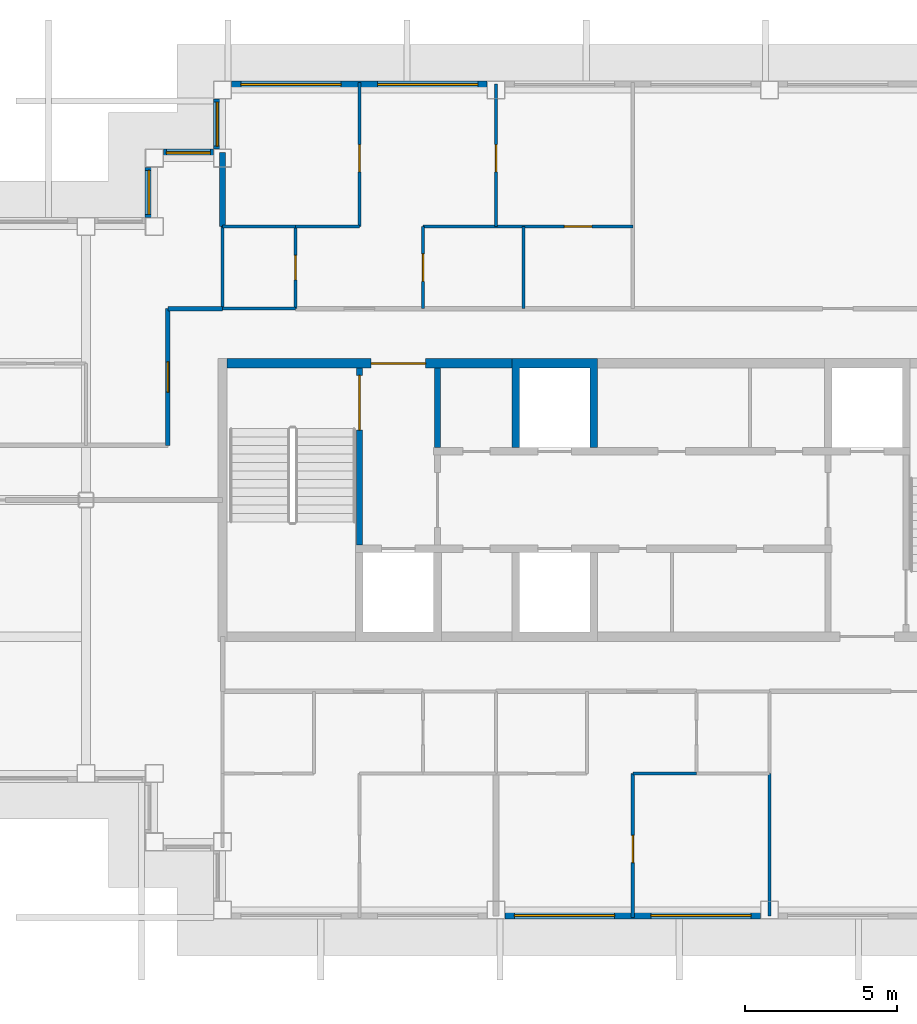
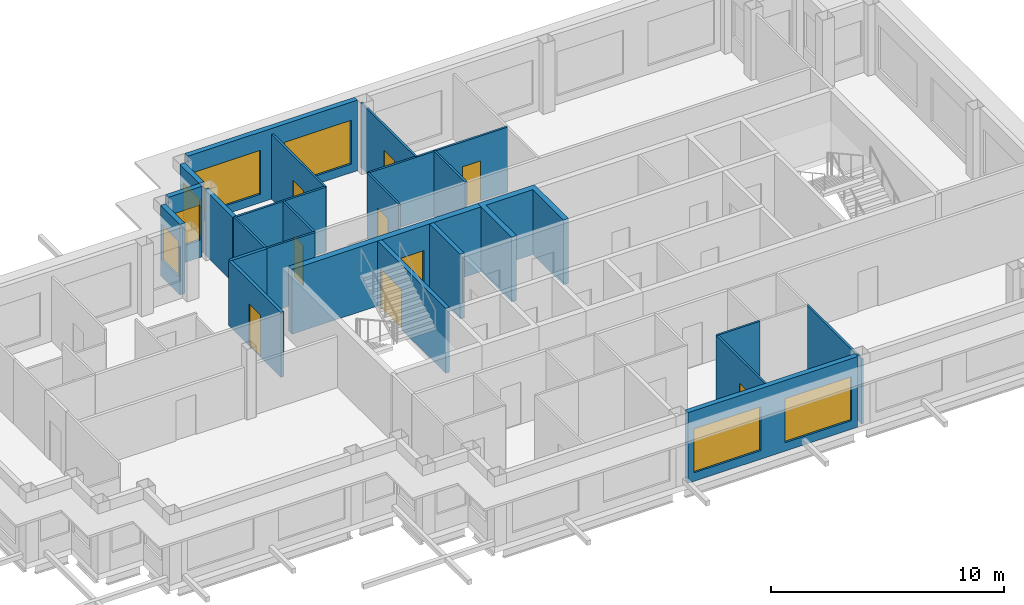
# One storey, part 4 of 11: 25 walls, 9 doors, 7 windows, 16 openings.
"""IFC4 building model written with IfcOpenShell, lengths in metres."""

from ifc_helpers import new_model, si_unit, direction, frame, frame_2d, origin, place, context, subcontext, project, spatial, polyline, rectangle, outline, extrude, material, layer, layer_set, type_object, element, fill, save


model = new_model("IFC4")

# Units and contexts
model_context = context("Model", 3, precision=1e-05, world=origin(), true_north=direction((0.0, 1.0)))
body_context = subcontext(model_context, "Body", "Model", "MODEL_VIEW")
ifc_project = project(units=[si_unit("LENGTHUNIT", "METRE"), si_unit("AREAUNIT", "SQUARE_METRE"), si_unit("VOLUMEUNIT", "CUBIC_METRE"), si_unit("PLANEANGLEUNIT", "RADIAN"), si_unit("MASSUNIT", "GRAM", prefix="KILO")], contexts=[model_context])

# Site, building, storey
site_placement = place(None, origin())
site = spatial("IfcSite", under=ifc_project, at=site_placement, CompositionType="ELEMENT")
building_placement = place(site_placement, origin())
building = spatial("IfcBuilding", under=site, at=building_placement, Name="Caravel Reach Hotel and Residences", CompositionType="ELEMENT")
storey_placement = place(building_placement, frame((0.0, 0.0, 249.0)))
storey = spatial("IfcBuildingStorey", under=building, at=storey_placement, Name="L63", CompositionType="ELEMENT", Elevation=249.0)

# Walls
ifc_material_1 = material(Name="Gypsum board on steel stud", Category="steel")
ifc_layer_1 = layer(ifc_material_1, 0.10009765625)
ifc_layer_set_1 = layer_set([ifc_layer_1], Name="Bathroom pod wall 100 mm")
wall_type_1 = type_object("IfcWallType", Name="Bathroom pod wall 100 mm", PredefinedType="PARTITIONING", material=ifc_layer_set_1)
for number, where, z_axis, x_axis, name in (
    (1, (18.0, 33.300048828125, 0.0), (0.0, 0.0, 1.0), (1.0, 0.0, 0.0), "L63 wall w059"),
    (2, (18.0, 36.0, 0.0), (0.0, 0.0, 1.0), (1.0, 0.0, 0.0), "L63 wall w060"),
):
    element("IfcWall", number, at=place(storey_placement, frame(where, z_axis=z_axis, x_axis=x_axis)), inside=storey, type_object=wall_type_1, Name=name, PredefinedType="PARTITIONING", context=body_context, shape_type="SweptSolid", body=[
        extrude(rectangle(XDim=2.39990234375, YDim=0.10009765625, at=frame_2d((1.199951171875, 0.0))), origin(), (0.0, 0.0, 1.0), 3.39990234375),
    ])
wall_1_placement = place(storey_placement, frame((18.0, 33.301025390625, 0.0), z_axis=(0.0, 0.0, 1.0), x_axis=(0.0, 1.0, 0.0)))
element("IfcWall", 3, at=wall_1_placement, inside=storey, type_object=wall_type_1, Name="L63 wall w061", PredefinedType="PARTITIONING", context=body_context, shape_type="SweptSolid", body=[
    extrude(rectangle(XDim=2.698974609375, YDim=0.10009765625, at=frame_2d((1.349609375, 0.0))), origin(), (0.0, 0.0, 1.0), 3.39990234375),
])

# Wall, opening, door
wall_2_placement = place(storey_placement, frame((20.39990234375, 33.300048828125, 0.0), z_axis=(0.0, 0.0, 1.0), x_axis=(0.0, 1.0, 0.0)))
wall_2 = element("IfcWall", 4, at=wall_2_placement, inside=storey, type_object=wall_type_1, Name="L63 wall w062", PredefinedType="PARTITIONING", context=body_context, shape_type="SweptSolid", body=[
    extrude(rectangle(XDim=2.699951171875, YDim=0.10009765625, at=frame_2d((1.35009765625, 0.0))), origin(), (0.0, 0.0, 1.0), 3.39990234375),
])
opening_1_placement = place(wall_2_placement, frame((0.949951171875, 0.0, 0.0)))
opening_1 = element("IfcOpeningElement", 5, at=opening_1_placement, cuts=wall_2, Name="Opening D63-018", PredefinedType="OPENING", context=body_context, shape_type="SweptSolid", body=[
    extrude(rectangle(XDim=0.800048828125, YDim=2.10009765625, at=frame_2d((0.39990234375, 1.050048828125))), frame((0.0, 0.06005859375, 0.0), z_axis=(0.0, -1.0, 0.0), x_axis=(1.0, 0.0, 0.0)), (0.0, 0.0, 1.0), 0.1201171875),
])
ifc_material_2 = material(Name="Timber and steel door leaf", Category="steel")
door_type_1 = type_object("IfcDoorType", Name="Bathroom door 800 x 2100", OperationType="SINGLE_SWING_LEFT", PredefinedType="DOOR", material=ifc_material_2)
door_1_placement = place(opening_1_placement, origin())
door_1 = element("IfcDoor", 6, at=door_1_placement, inside=storey, type_object=door_type_1, Name="door D63-018", OperationType="SINGLE_SWING_LEFT", OverallHeight=2.10009765625, OverallWidth=0.800048828125, PredefinedType="DOOR", context=body_context, shape_type="SweptSolid", body=[
    extrude(rectangle(XDim=0.800048828125, YDim=2.10009765625, at=frame_2d((0.39990234375, 1.050048828125))), frame((0.0, 0.02490234375, 0.0), z_axis=(0.0, -1.0, 0.0), x_axis=(1.0, 0.0, 0.0)), (0.0, 0.0, 1.0), 0.050048828125),
])
fill(opening_1, door_1)

# Wall
ifc_material_3 = material(Name="Autoclaved aerated block wall")
ifc_layer_2 = layer(ifc_material_3, 0.199951171875)
ifc_layer_set_2 = layer_set([ifc_layer_2], Name="Compartment wall 200 mm EI 120")
wall_type_2 = type_object("IfcWallType", Name="Compartment wall 200 mm EI 120", PredefinedType="PARTITIONING", material=ifc_layer_set_2)
wall_3_placement = place(storey_placement, frame((25.071533203125, 28.72509765625, 0.0), z_axis=(0.0, 0.0, 1.0), x_axis=(0.0, 1.0, 0.0)))
element("IfcWall", 7, at=wall_3_placement, inside=storey, type_object=wall_type_2, Name="L63 store partition", PredefinedType="PARTITIONING", context=body_context, shape_type="SweptSolid", body=[
    extrude(rectangle(XDim=2.625, YDim=0.199951171875, at=frame_2d((1.3125, 0.0))), origin(), (0.0, 0.0, 1.0), 3.39990234375),
])

# Wall, opening, door
ifc_material_4 = material(Name="Concrete C60", Category="concrete")
ifc_layer_3 = layer(ifc_material_4, 0.300048828125)
ifc_layer_set_3 = layer_set([ifc_layer_3], Name="Core wall 300 mm EI 120")
wall_type_3 = type_object("IfcWallType", Name="Core wall 300 mm EI 120", PredefinedType="SHEAR", material=ifc_layer_set_3)
wall_4_placement = place(storey_placement, frame((18.14990234375, 31.5, 0.0), z_axis=(0.0, 0.0, 1.0), x_axis=(1.0, 0.0, 0.0)))
wall_4 = element("IfcWall", 8, at=wall_4_placement, inside=storey, type_object=wall_type_3, Name="L63 core wall N1", PredefinedType="SHEAR", context=body_context, shape_type="SweptSolid", body=[
    extrude(rectangle(XDim=9.367919921875, YDim=0.300048828125, at=frame_2d((4.68408203125, 0.0))), origin(), (0.0, 0.0, 1.0), 3.39990234375),
])
opening_2_placement = place(wall_4_placement, frame((4.735595703125, 0.0, 0.0)))
opening_2 = element("IfcOpeningElement", 9, at=opening_2_placement, cuts=wall_4, Name="Opening D63-015", PredefinedType="OPENING", context=body_context, shape_type="SweptSolid", body=[
    extrude(rectangle(XDim=1.800048828125, YDim=2.10009765625, at=frame_2d((0.89990234375, 1.050048828125))), frame((0.0, 0.159912109375, 0.0), z_axis=(0.0, -1.0, 0.0), x_axis=(1.0, 0.0, 0.0)), (0.0, 0.0, 1.0), 0.320068359375),
])
ifc_material_5 = material(Name="Steel fire door leaf", Category="steel")
door_type_2 = type_object("IfcDoorType", Name="Fire lobby door pair 1800 x 2100 EI 90", OperationType="DOUBLE_DOOR_SINGLE_SWING", PredefinedType="DOOR", material=ifc_material_5)
door_2_placement = place(opening_2_placement, origin())
door_2 = element("IfcDoor", 10, at=door_2_placement, inside=storey, type_object=door_type_2, Name="lobby N door pair to corridor", OperationType="DOUBLE_DOOR_SINGLE_SWING", OverallHeight=2.10009765625, OverallWidth=1.800048828125, PredefinedType="DOOR", context=body_context, shape_type="SweptSolid", body=[
    extrude(rectangle(XDim=1.800048828125, YDim=2.10009765625, at=frame_2d((0.89990234375, 1.050048828125))), frame((0.0, 0.02490234375, 0.0), z_axis=(0.0, -1.0, 0.0), x_axis=(1.0, 0.0, 0.0)), (0.0, 0.0, 1.0), 0.050048828125),
])
fill(opening_2, door_2)

# Wall
ifc_material_6 = material(Name="Gypsum board on steel stud, fire-rated", Category="steel")
ifc_layer_4 = layer(ifc_material_6, 0.14990234375)
ifc_layer_set_4 = layer_set([ifc_layer_4], Name="Corridor wall 150 mm EI 60")
wall_type_4 = type_object("IfcWallType", Name="Corridor wall 150 mm EI 60", PredefinedType="PARTITIONING", material=ifc_layer_set_4)
wall_5_placement = place(storey_placement, frame((16.199951171875, 33.300048828125, 0.0), z_axis=(0.0, 0.0, 1.0), x_axis=(1.0, 0.0, 0.0)))
element("IfcWall", 11, at=wall_5_placement, inside=storey, type_object=wall_type_4, Name="L63 wall w016", PredefinedType="PARTITIONING", context=body_context, shape_type="SweptSolid", body=[
    extrude(rectangle(XDim=1.799072265625, YDim=0.14990234375, at=frame_2d((0.8994140625, 0.0))), origin(), (0.0, 0.0, 1.0), 3.39990234375),
])

# Wall, opening, door
wall_6_placement = place(storey_placement, frame((16.199951171875, 28.801025390625, 0.0), z_axis=(0.0, 0.0, 1.0), x_axis=(0.0, 1.0, 0.0)))
wall_6 = element("IfcWall", 12, at=wall_6_placement, inside=storey, type_object=wall_type_4, Name="L63 wall w017", PredefinedType="PARTITIONING", context=body_context, shape_type="SweptSolid", body=[
    extrude(rectangle(XDim=4.4990234375, YDim=0.14990234375, at=frame_2d((2.24951171875, 0.0))), origin(), (0.0, 0.0, 1.0), 3.39990234375),
])
opening_3_placement = place(wall_6_placement, frame((1.74951171875, 0.0, 0.0)))
opening_3 = element("IfcOpeningElement", 13, at=opening_3_placement, cuts=wall_6, Name="Opening D63-024", PredefinedType="OPENING", context=body_context, shape_type="SweptSolid", body=[
    extrude(rectangle(XDim=1.0, YDim=2.199951171875, at=frame_2d((0.5, 1.10009765625))), frame((0.0, 0.0849609375, 0.0), z_axis=(0.0, -1.0, 0.0), x_axis=(1.0, 0.0, 0.0)), (0.0, 0.0, 1.0), 0.169921875),
])
ifc_material_7 = material(Name="Steel fire door leaf", Category="steel")
door_type_3 = type_object("IfcDoorType", Name="Flat entrance door 1000 x 2200 EI 60", OperationType="SINGLE_SWING_LEFT", PredefinedType="DOOR", material=ifc_material_7)
door_3_placement = place(opening_3_placement, origin())
door_3 = element("IfcDoor", 14, at=door_3_placement, inside=storey, type_object=door_type_3, Name="door D63-024", OperationType="SINGLE_SWING_RIGHT", OverallHeight=2.199951171875, OverallWidth=1.0, PredefinedType="DOOR", context=body_context, shape_type="SweptSolid", body=[
    extrude(rectangle(XDim=1.0, YDim=2.199951171875, at=frame_2d((0.5, 1.10009765625))), frame((0.0, 0.02490234375, 0.0), z_axis=(0.0, -1.0, 0.0), x_axis=(1.0, 0.0, 0.0)), (0.0, 0.0, 1.0), 0.050048828125),
])
fill(opening_3, door_3)

# Wall, openings, windows
ifc_material_8 = material(Name="Insulated rainscreen wall, aluminium cladding", Category="aluminium")
ifc_layer_5 = layer(ifc_material_8, 0.25)
ifc_layer_set_5 = layer_set([ifc_layer_5], Name="EW1 Tower rainscreen wall")
wall_type_5 = type_object("IfcWallType", Name="EW1 Tower rainscreen wall", PredefinedType="SOLIDWALL", material=ifc_layer_set_5)
wall_7_placement = place(storey_placement, frame((27.300048828125, 13.324951171875, 0.0), z_axis=(0.0, 0.0, 1.0), x_axis=(1.0, 0.0, 0.0)))
wall_7 = element("IfcWall", 15, at=wall_7_placement, inside=storey, type_object=wall_type_5, Name="External wall L63 S4.2", PredefinedType="SOLIDWALL", context=body_context, shape_type="SweptSolid", body=[
    extrude(rectangle(XDim=8.39990234375, YDim=0.25, at=frame_2d((4.199951171875, 0.0))), origin(), (0.0, 0.0, 1.0), 3.699951171875),
])
opening_4_placement = place(wall_7_placement, frame((0.300048828125, 0.0, 0.449951171875)))
opening_4 = element("IfcOpeningElement", 16, at=opening_4_placement, cuts=wall_7, Name="Opening WN15", PredefinedType="OPENING", context=body_context, shape_type="SweptSolid", body=[
    extrude(rectangle(XDim=3.300048828125, YDim=2.300048828125, at=frame_2d((1.64990234375, 1.14990234375))), frame((0.0, 0.135009765625, 0.0), z_axis=(0.0, -1.0, 0.0), x_axis=(1.0, 0.0, 0.0)), (0.0, 0.0, 1.0), 0.27001953125),
])
opening_5_placement = place(wall_7_placement, frame((4.800048828125, 0.0, 0.449951171875)))
opening_5 = element("IfcOpeningElement", 17, at=opening_5_placement, cuts=wall_7, Name="Opening WN15", PredefinedType="OPENING", context=body_context, shape_type="SweptSolid", body=[
    extrude(rectangle(XDim=3.300048828125, YDim=2.300048828125, at=frame_2d((1.64990234375, 1.14990234375))), frame((0.0, 0.135009765625, 0.0), z_axis=(0.0, -1.0, 0.0), x_axis=(1.0, 0.0, 0.0)), (0.0, 0.0, 1.0), 0.27001953125),
])
ifc_material_9 = material(Name="Dark low-e glazing in black aluminium frame", Category="aluminium")
window_type_1 = type_object("IfcWindowType", Name="Residence living window 3300 x 2300", PartitioningType="SINGLE_PANEL", PredefinedType="WINDOW", material=ifc_material_9)
window_1_placement = place(opening_4_placement, origin())
window_1 = element("IfcWindow", 18, at=window_1_placement, inside=storey, type_object=window_type_1, Name="Window L63 S4.2.1", OverallHeight=2.300048828125, OverallWidth=3.300048828125, PartitioningType="SINGLE_PANEL", PredefinedType="WINDOW", context=body_context, shape_type="SweptSolid", body=[
    extrude(rectangle(XDim=3.300048828125, YDim=2.300048828125, at=frame_2d((1.64990234375, 1.14990234375))), frame((0.0, 0.030029296875, 0.0), z_axis=(0.0, -1.0, 0.0), x_axis=(1.0, 0.0, 0.0)), (0.0, 0.0, 1.0), 0.06005859375),
])
fill(opening_4, window_1)
window_2_placement = place(opening_5_placement, origin())
window_2 = element("IfcWindow", 19, at=window_2_placement, inside=storey, type_object=window_type_1, Name="Window L63 S4.2.2", OverallHeight=2.300048828125, OverallWidth=3.300048828125, PartitioningType="SINGLE_PANEL", PredefinedType="WINDOW", context=body_context, shape_type="SweptSolid", body=[
    extrude(rectangle(XDim=3.300048828125, YDim=2.300048828125, at=frame_2d((1.64990234375, 1.14990234375))), frame((0.0, 0.030029296875, 0.0), z_axis=(0.0, -1.0, 0.0), x_axis=(1.0, 0.0, 0.0)), (0.0, 0.0, 1.0), 0.06005859375),
])
fill(opening_5, window_2)

wall_8_placement = place(storey_placement, frame((26.699951171875, 40.675048828125, 0.0), z_axis=(0.0, 0.0, 1.0), x_axis=(-1.0, 0.0, 0.0)))
wall_8 = element("IfcWall", 20, at=wall_8_placement, inside=storey, type_object=wall_type_5, Name="External wall L63 N14.3", PredefinedType="SOLIDWALL", context=body_context, shape_type="SweptSolid", body=[
    extrude(rectangle(XDim=8.39990234375, YDim=0.25, at=frame_2d((4.199951171875, 0.0))), origin(), (0.0, 0.0, 1.0), 3.699951171875),
])
opening_6_placement = place(wall_8_placement, frame((0.300048828125, 0.0, 0.449951171875)))
opening_6 = element("IfcOpeningElement", 21, at=opening_6_placement, cuts=wall_8, Name="Opening WN15", PredefinedType="OPENING", context=body_context, shape_type="SweptSolid", body=[
    extrude(rectangle(XDim=3.300048828125, YDim=2.300048828125, at=frame_2d((1.64990234375, 1.14990234375))), frame((0.0, 0.135009765625, 0.0), z_axis=(0.0, -1.0, 0.0), x_axis=(1.0, 0.0, 0.0)), (0.0, 0.0, 1.0), 0.27001953125),
])
opening_7_placement = place(wall_8_placement, frame((4.800048828125, 0.0, 0.449951171875)))
opening_7 = element("IfcOpeningElement", 22, at=opening_7_placement, cuts=wall_8, Name="Opening WN15", PredefinedType="OPENING", context=body_context, shape_type="SweptSolid", body=[
    extrude(rectangle(XDim=3.300048828125, YDim=2.300048828125, at=frame_2d((1.64990234375, 1.14990234375))), frame((0.0, 0.135009765625, 0.0), z_axis=(0.0, -1.0, 0.0), x_axis=(1.0, 0.0, 0.0)), (0.0, 0.0, 1.0), 0.27001953125),
])
window_3_placement = place(opening_6_placement, origin())
window_3 = element("IfcWindow", 23, at=window_3_placement, inside=storey, type_object=window_type_1, Name="Window L63 N14.3.1", OverallHeight=2.300048828125, OverallWidth=3.300048828125, PartitioningType="SINGLE_PANEL", PredefinedType="WINDOW", context=body_context, shape_type="SweptSolid", body=[
    extrude(rectangle(XDim=3.300048828125, YDim=2.300048828125, at=frame_2d((1.64990234375, 1.14990234375))), frame((0.0, 0.030029296875, 0.0), z_axis=(0.0, -1.0, 0.0), x_axis=(1.0, 0.0, 0.0)), (0.0, 0.0, 1.0), 0.06005859375),
])
fill(opening_6, window_3)
window_4_placement = place(opening_7_placement, origin())
window_4 = element("IfcWindow", 24, at=window_4_placement, inside=storey, type_object=window_type_1, Name="Window L63 N14.3.2", OverallHeight=2.300048828125, OverallWidth=3.300048828125, PartitioningType="SINGLE_PANEL", PredefinedType="WINDOW", context=body_context, shape_type="SweptSolid", body=[
    extrude(rectangle(XDim=3.300048828125, YDim=2.300048828125, at=frame_2d((1.64990234375, 1.14990234375))), frame((0.0, 0.030029296875, 0.0), z_axis=(0.0, -1.0, 0.0), x_axis=(1.0, 0.0, 0.0)), (0.0, 0.0, 1.0), 0.06005859375),
])
fill(opening_7, window_4)

# Wall, opening, window
wall_9_placement = place(storey_placement, frame((17.824951171875, 40.199951171875, 0.0), z_axis=(0.0, 0.0, 1.0), x_axis=(0.0, -1.0, 0.0)))
wall_9 = element("IfcWall", 25, at=wall_9_placement, inside=storey, type_object=wall_type_5, Name="External wall L63 W15.1", PredefinedType="SOLIDWALL", context=body_context, shape_type="SweptSolid", body=[
    extrude(rectangle(XDim=1.64990234375, YDim=0.25, at=frame_2d((0.824951171875, 0.0))), origin(), (0.0, 0.0, 1.0), 3.699951171875),
])
opening_8_placement = place(wall_9_placement, frame((0.10009765625, 0.0, 0.89990234375)))
opening_8 = element("IfcOpeningElement", 26, at=opening_8_placement, cuts=wall_9, Name="Opening WN25", PredefinedType="OPENING", context=body_context, shape_type="SweptSolid", body=[
    extrude(rectangle(XDim=1.449951171875, YDim=1.85009765625, at=frame_2d((0.72509765625, 0.925048828125))), frame((0.0, 0.135009765625, 0.0), z_axis=(0.0, -1.0, 0.0), x_axis=(1.0, 0.0, 0.0)), (0.0, 0.0, 1.0), 0.27001953125),
])
ifc_material_10 = material(Name="Dark low-e glazing in black aluminium frame", Category="aluminium")
window_type_2 = type_object("IfcWindowType", Name="Residence bedroom window 1450 x 1850", PartitioningType="SINGLE_PANEL", PredefinedType="WINDOW", material=ifc_material_10)
window_5_placement = place(opening_8_placement, origin())
window_5 = element("IfcWindow", 27, at=window_5_placement, inside=storey, type_object=window_type_2, Name="Window L63 W15.1.1", OverallHeight=1.85009765625, OverallWidth=1.449951171875, PartitioningType="SINGLE_PANEL", PredefinedType="WINDOW", context=body_context, shape_type="SweptSolid", body=[
    extrude(rectangle(XDim=1.449951171875, YDim=1.85009765625, at=frame_2d((0.72509765625, 0.925048828125))), frame((0.0, 0.030029296875, 0.0), z_axis=(0.0, -1.0, 0.0), x_axis=(1.0, 0.0, 0.0)), (0.0, 0.0, 1.0), 0.06005859375),
])
fill(opening_8, window_5)

wall_10_placement = place(storey_placement, frame((17.699951171875, 38.425048828125, 0.0), z_axis=(0.0, 0.0, 1.0), x_axis=(-1.0, 0.0, 0.0)))
wall_10 = element("IfcWall", 28, at=wall_10_placement, inside=storey, type_object=wall_type_5, Name="External wall L63 N16.1", PredefinedType="SOLIDWALL", context=body_context, shape_type="SweptSolid", body=[
    extrude(rectangle(XDim=1.64990234375, YDim=0.25, at=frame_2d((0.824951171875, 0.0))), origin(), (0.0, 0.0, 1.0), 3.699951171875),
])
opening_9_placement = place(wall_10_placement, frame((0.10009765625, 0.0, 0.89990234375)))
opening_9 = element("IfcOpeningElement", 29, at=opening_9_placement, cuts=wall_10, Name="Opening WN25", PredefinedType="OPENING", context=body_context, shape_type="SweptSolid", body=[
    extrude(rectangle(XDim=1.449951171875, YDim=1.85009765625, at=frame_2d((0.72509765625, 0.925048828125))), frame((0.0, 0.135009765625, 0.0), z_axis=(0.0, -1.0, 0.0), x_axis=(1.0, 0.0, 0.0)), (0.0, 0.0, 1.0), 0.27001953125),
])
window_6_placement = place(opening_9_placement, origin())
window_6 = element("IfcWindow", 30, at=window_6_placement, inside=storey, type_object=window_type_2, Name="Window L63 N16.1.1", OverallHeight=1.85009765625, OverallWidth=1.449951171875, PartitioningType="SINGLE_PANEL", PredefinedType="WINDOW", context=body_context, shape_type="SweptSolid", body=[
    extrude(rectangle(XDim=1.449951171875, YDim=1.85009765625, at=frame_2d((0.72509765625, 0.925048828125))), frame((0.0, 0.030029296875, 0.0), z_axis=(0.0, -1.0, 0.0), x_axis=(1.0, 0.0, 0.0)), (0.0, 0.0, 1.0), 0.06005859375),
])
fill(opening_9, window_6)

wall_11_placement = place(storey_placement, frame((15.574951171875, 37.949951171875, 0.0), z_axis=(0.0, 0.0, 1.0), x_axis=(0.0, -1.0, 0.0)))
wall_11 = element("IfcWall", 31, at=wall_11_placement, inside=storey, type_object=wall_type_5, Name="External wall L63 W17.1", PredefinedType="SOLIDWALL", context=body_context, shape_type="SweptSolid", body=[
    extrude(rectangle(XDim=1.64990234375, YDim=0.25, at=frame_2d((0.824951171875, 0.0))), origin(), (0.0, 0.0, 1.0), 3.699951171875),
])
opening_10_placement = place(wall_11_placement, frame((0.10009765625, 0.0, 0.89990234375)))
opening_10 = element("IfcOpeningElement", 32, at=opening_10_placement, cuts=wall_11, Name="Opening WN25", PredefinedType="OPENING", context=body_context, shape_type="SweptSolid", body=[
    extrude(rectangle(XDim=1.449951171875, YDim=1.85009765625, at=frame_2d((0.72509765625, 0.925048828125))), frame((0.0, 0.135009765625, 0.0), z_axis=(0.0, -1.0, 0.0), x_axis=(1.0, 0.0, 0.0)), (0.0, 0.0, 1.0), 0.27001953125),
])
window_7_placement = place(opening_10_placement, origin())
window_7 = element("IfcWindow", 33, at=window_7_placement, inside=storey, type_object=window_type_2, Name="Window L63 W17.1.1", OverallHeight=1.85009765625, OverallWidth=1.449951171875, PartitioningType="SINGLE_PANEL", PredefinedType="WINDOW", context=body_context, shape_type="SweptSolid", body=[
    extrude(rectangle(XDim=1.449951171875, YDim=1.85009765625, at=frame_2d((0.72509765625, 0.925048828125))), frame((0.0, 0.030029296875, 0.0), z_axis=(0.0, -1.0, 0.0), x_axis=(1.0, 0.0, 0.0)), (0.0, 0.0, 1.0), 0.06005859375),
])
fill(opening_10, window_7)

# Walls
ifc_material_11 = material(Name="Gypsum board on steel stud", Category="steel")
ifc_layer_6 = layer(ifc_material_11, 0.10009765625)
ifc_layer_set_6 = layer_set([ifc_layer_6], Name="Partition 100 mm")
wall_type_6 = type_object("IfcWallType", Name="Partition 100 mm", PredefinedType="PARTITIONING", material=ifc_layer_set_6)
for number, where, z_axis, x_axis, name in (
    (34, (31.5, 18.0, 0.0), (0.0, 0.0, 1.0), (1.0, 0.0, 0.0), "L63 wall w023"),
    (35, (20.39990234375, 36.0, 0.0), (0.0, 0.0, 1.0), (1.0, 0.0, 0.0), "L63 wall w028"),
):
    element("IfcWall", number, at=place(storey_placement, frame(where, z_axis=z_axis, x_axis=x_axis)), inside=storey, type_object=wall_type_6, Name=name, PredefinedType="PARTITIONING", context=body_context, shape_type="SweptSolid", body=[
        extrude(rectangle(XDim=2.10009765625, YDim=0.10009765625, at=frame_2d((1.050048828125, 0.0))), origin(), (0.0, 0.0, 1.0), 3.39990234375),
    ])

# Wall, opening, door
wall_12_placement = place(storey_placement, frame((24.60009765625, 36.0, 0.0), z_axis=(0.0, 0.0, 1.0), x_axis=(1.0, 0.0, 0.0)))
wall_12 = element("IfcWall", 36, at=wall_12_placement, inside=storey, type_object=wall_type_6, Name="L63 wall w030", PredefinedType="PARTITIONING", context=body_context, shape_type="SweptSolid", body=[
    extrude(rectangle(XDim=6.89990234375, YDim=0.10009765625, at=frame_2d((3.449951171875, 0.0))), origin(), (0.0, 0.0, 1.0), 3.39990234375),
])
opening_11_placement = place(wall_12_placement, frame((4.650146484375, 0.0, 0.0)))
opening_11 = element("IfcOpeningElement", 37, at=opening_11_placement, cuts=wall_12, Name="Opening D63-020", PredefinedType="OPENING", context=body_context, shape_type="SweptSolid", body=[
    extrude(rectangle(XDim=0.89990234375, YDim=2.10009765625, at=frame_2d((0.449951171875, 1.050048828125))), frame((0.0, 0.06005859375, 0.0), z_axis=(0.0, -1.0, 0.0), x_axis=(1.0, 0.0, 0.0)), (0.0, 0.0, 1.0), 0.1201171875),
])
ifc_material_12 = material(Name="Timber and steel door leaf", Category="steel")
door_type_4 = type_object("IfcDoorType", Name="Door 900 x 2100 timber", OperationType="SINGLE_SWING_LEFT", PredefinedType="DOOR", material=ifc_material_12)
door_4_placement = place(opening_11_placement, origin())
door_4 = element("IfcDoor", 38, at=door_4_placement, inside=storey, type_object=door_type_4, Name="door D63-020", OperationType="SINGLE_SWING_LEFT", OverallHeight=2.10009765625, OverallWidth=0.89990234375, PredefinedType="DOOR", context=body_context, shape_type="SweptSolid", body=[
    extrude(rectangle(XDim=0.89990234375, YDim=2.10009765625, at=frame_2d((0.449951171875, 1.050048828125))), frame((0.0, 0.02490234375, 0.0), z_axis=(0.0, -1.0, 0.0), x_axis=(1.0, 0.0, 0.0)), (0.0, 0.0, 1.0), 0.050048828125),
])
fill(opening_11, door_4)

wall_13_placement = place(storey_placement, frame((22.5, 36.0, 0.0), z_axis=(0.0, 0.0, 1.0), x_axis=(0.0, 1.0, 0.0)))
wall_13 = element("IfcWall", 39, at=wall_13_placement, inside=storey, type_object=wall_type_6, Name="L63 wall w037", PredefinedType="PARTITIONING", context=body_context, shape_type="SweptSolid", body=[
    extrude(rectangle(XDim=4.739990234375, YDim=0.10009765625, at=frame_2d((2.3701171875, 0.0))), origin(), (0.0, 0.0, 1.0), 3.39990234375),
])
opening_12_placement = place(wall_13_placement, frame((1.800048828125, 0.0, 0.0)))
opening_12 = element("IfcOpeningElement", 40, at=opening_12_placement, cuts=wall_13, Name="Opening D63-021", PredefinedType="OPENING", context=body_context, shape_type="SweptSolid", body=[
    extrude(rectangle(XDim=0.89990234375, YDim=2.10009765625, at=frame_2d((0.449951171875, 1.050048828125))), frame((0.0, 0.06005859375, 0.0), z_axis=(0.0, -1.0, 0.0), x_axis=(1.0, 0.0, 0.0)), (0.0, 0.0, 1.0), 0.1201171875),
])
door_5_placement = place(opening_12_placement, origin())
door_5 = element("IfcDoor", 41, at=door_5_placement, inside=storey, type_object=door_type_4, Name="door D63-021", OperationType="SINGLE_SWING_RIGHT", OverallHeight=2.10009765625, OverallWidth=0.89990234375, PredefinedType="DOOR", context=body_context, shape_type="SweptSolid", body=[
    extrude(rectangle(XDim=0.89990234375, YDim=2.10009765625, at=frame_2d((0.449951171875, 1.050048828125))), frame((0.0, 0.02490234375, 0.0), z_axis=(0.0, -1.0, 0.0), x_axis=(1.0, 0.0, 0.0)), (0.0, 0.0, 1.0), 0.050048828125),
])
fill(opening_12, door_5)

wall_14_placement = place(storey_placement, frame((24.60009765625, 33.300048828125, 0.0), z_axis=(0.0, 0.0, 1.0), x_axis=(0.0, 1.0, 0.0)))
wall_14 = element("IfcWall", 42, at=wall_14_placement, inside=storey, type_object=wall_type_6, Name="L63 wall w039", PredefinedType="PARTITIONING", context=body_context, shape_type="SweptSolid", body=[
    extrude(rectangle(XDim=2.699951171875, YDim=0.10009765625, at=frame_2d((1.35009765625, 0.0))), origin(), (0.0, 0.0, 1.0), 3.39990234375),
])
opening_13_placement = place(wall_14_placement, frame((0.89990234375, 0.0, 0.0)))
opening_13 = element("IfcOpeningElement", 43, at=opening_13_placement, cuts=wall_14, Name="Opening D63-019", PredefinedType="OPENING", context=body_context, shape_type="SweptSolid", body=[
    extrude(rectangle(XDim=0.89990234375, YDim=2.10009765625, at=frame_2d((0.449951171875, 1.050048828125))), frame((0.0, 0.06005859375, 0.0), z_axis=(0.0, -1.0, 0.0), x_axis=(1.0, 0.0, 0.0)), (0.0, 0.0, 1.0), 0.1201171875),
])
door_6_placement = place(opening_13_placement, origin())
door_6 = element("IfcDoor", 44, at=door_6_placement, inside=storey, type_object=door_type_4, Name="door D63-019", OperationType="SINGLE_SWING_RIGHT", OverallHeight=2.10009765625, OverallWidth=0.89990234375, PredefinedType="DOOR", context=body_context, shape_type="SweptSolid", body=[
    extrude(rectangle(XDim=0.89990234375, YDim=2.10009765625, at=frame_2d((0.449951171875, 1.050048828125))), frame((0.0, 0.02490234375, 0.0), z_axis=(0.0, -1.0, 0.0), x_axis=(1.0, 0.0, 0.0)), (0.0, 0.0, 1.0), 0.050048828125),
])
fill(opening_13, door_6)

wall_15_placement = place(storey_placement, frame((27.0, 36.0, 0.0), z_axis=(0.0, 0.0, 1.0), x_axis=(0.0, 1.0, 0.0)))
wall_15 = element("IfcWall", 45, at=wall_15_placement, inside=storey, type_object=wall_type_6, Name="L63 wall w040", PredefinedType="PARTITIONING", context=body_context, shape_type="SweptSolid", body=[
    extrude(rectangle(XDim=4.68994140625, YDim=0.10009765625, at=frame_2d((2.344970703125, 0.0))), origin(), (0.0, 0.0, 1.0), 3.39990234375),
])
opening_14_placement = place(wall_15_placement, frame((1.800048828125, 0.0, 0.0)))
opening_14 = element("IfcOpeningElement", 46, at=opening_14_placement, cuts=wall_15, Name="Opening D63-022", PredefinedType="OPENING", context=body_context, shape_type="SweptSolid", body=[
    extrude(rectangle(XDim=0.89990234375, YDim=2.10009765625, at=frame_2d((0.449951171875, 1.050048828125))), frame((0.0, 0.06005859375, 0.0), z_axis=(0.0, -1.0, 0.0), x_axis=(1.0, 0.0, 0.0)), (0.0, 0.0, 1.0), 0.1201171875),
])
door_7_placement = place(opening_14_placement, origin())
door_7 = element("IfcDoor", 47, at=door_7_placement, inside=storey, type_object=door_type_4, Name="door D63-022", OperationType="SINGLE_SWING_LEFT", OverallHeight=2.10009765625, OverallWidth=0.89990234375, PredefinedType="DOOR", context=body_context, shape_type="SweptSolid", body=[
    extrude(rectangle(XDim=0.89990234375, YDim=2.10009765625, at=frame_2d((0.449951171875, 1.050048828125))), frame((0.0, 0.02490234375, 0.0), z_axis=(0.0, -1.0, 0.0), x_axis=(1.0, 0.0, 0.0)), (0.0, 0.0, 1.0), 0.050048828125),
])
fill(opening_14, door_7)

# Wall
wall_16_placement = place(storey_placement, frame((27.89990234375, 33.300048828125, 0.0), z_axis=(0.0, 0.0, 1.0), x_axis=(0.0, 1.0, 0.0)))
element("IfcWall", 48, at=wall_16_placement, inside=storey, type_object=wall_type_6, Name="L63 wall w041", PredefinedType="PARTITIONING", context=body_context, shape_type="SweptSolid", body=[
    extrude(rectangle(XDim=2.699951171875, YDim=0.10009765625, at=frame_2d((1.35009765625, 0.0))), origin(), (0.0, 0.0, 1.0), 3.39990234375),
])

# Wall, opening, door
wall_17_placement = place(storey_placement, frame((31.5, 13.260009765625, 0.0), z_axis=(0.0, 0.0, 1.0), x_axis=(0.0, 1.0, 0.0)))
wall_17 = element("IfcWall", 49, at=wall_17_placement, inside=storey, type_object=wall_type_6, Name="L63 wall w045", PredefinedType="PARTITIONING", context=body_context, shape_type="SweptSolid", body=[
    extrude(rectangle(XDim=4.739990234375, YDim=0.10009765625, at=frame_2d((2.3701171875, 0.0))), origin(), (0.0, 0.0, 1.0), 3.39990234375),
])
opening_15_placement = place(wall_17_placement, frame((1.800048828125, 0.0, 0.0)))
opening_15 = element("IfcOpeningElement", 50, at=opening_15_placement, cuts=wall_17, Name="Opening D63-036", PredefinedType="OPENING", context=body_context, shape_type="SweptSolid", body=[
    extrude(rectangle(XDim=0.89990234375, YDim=2.10009765625, at=frame_2d((0.449951171875, 1.050048828125))), frame((0.0, 0.06005859375, 0.0), z_axis=(0.0, -1.0, 0.0), x_axis=(1.0, 0.0, 0.0)), (0.0, 0.0, 1.0), 0.1201171875),
])
door_8_placement = place(opening_15_placement, origin())
door_8 = element("IfcDoor", 51, at=door_8_placement, inside=storey, type_object=door_type_4, Name="door D63-036", OperationType="SINGLE_SWING_LEFT", OverallHeight=2.10009765625, OverallWidth=0.89990234375, PredefinedType="DOOR", context=body_context, shape_type="SweptSolid", body=[
    extrude(rectangle(XDim=0.89990234375, YDim=2.10009765625, at=frame_2d((0.449951171875, 1.050048828125))), frame((0.0, 0.02490234375, 0.0), z_axis=(0.0, -1.0, 0.0), x_axis=(1.0, 0.0, 0.0)), (0.0, 0.0, 1.0), 0.050048828125),
])
fill(opening_15, door_8)

# Walls
wall_18_placement = place(storey_placement, frame((36.0, 13.31005859375, 0.0), z_axis=(0.0, 0.0, 1.0), x_axis=(0.0, 1.0, 0.0)))
element("IfcWall", 52, at=wall_18_placement, inside=storey, type_object=wall_type_6, Name="L63 wall w046", PredefinedType="PARTITIONING", context=body_context, shape_type="SweptSolid", body=[
    extrude(rectangle(XDim=4.68994140625, YDim=0.10009765625, at=frame_2d((2.344970703125, 0.0))), origin(), (0.0, 0.0, 1.0), 3.39990234375),
])
ifc_material_13 = material(Name="Autoclaved aerated block wall")
ifc_layer_7 = layer(ifc_material_13, 0.199951171875)
ifc_layer_set_7 = layer_set([ifc_layer_7], Name="Party wall 200 mm EI 60")
wall_type_7 = type_object("IfcWallType", Name="Party wall 200 mm EI 60", PredefinedType="PARTITIONING", material=ifc_layer_set_7)
wall_19_placement = place(storey_placement, frame((18.0, 36.0, 0.0), z_axis=(0.0, 0.0, 1.0), x_axis=(0.0, 1.0, 0.0)))
element("IfcWall", 53, at=wall_19_placement, inside=storey, type_object=wall_type_7, Name="L63 wall w051", PredefinedType="PARTITIONING", context=body_context, shape_type="SweptSolid", body=[
    extrude(rectangle(XDim=2.43994140625, YDim=0.199951171875, at=frame_2d((1.219970703125, 0.0))), origin(), (0.0, 0.0, 1.0), 3.39990234375),
])
ifc_material_14 = material(Name="Concrete C60", Category="concrete")
ifc_layer_8 = layer(ifc_material_14, 0.25)
ifc_layer_set_8 = layer_set([ifc_layer_8], Name="Shaft wall 250 mm EI 120")
wall_type_8 = type_object("IfcWallType", Name="Shaft wall 250 mm EI 120", PredefinedType="SHEAR", material=ifc_layer_set_8)
wall_20_placement = place(storey_placement, origin())
element("IfcWall", 54, at=wall_20_placement, inside=storey, type_object=wall_type_8, Name="L63 lift shaft wall N1", PredefinedType="SHEAR", context=body_context, shape_type="SweptSolid", body=[
    extrude(outline(polyline([(27.517822265625, 28.72509765625), (27.767822265625, 28.72509765625), (27.767822265625, 31.35009765625), (30.08935546875, 31.35009765625), (30.08935546875, 28.72509765625), (30.33935546875, 28.72509765625), (30.33935546875, 31.64990234375), (27.517822265625, 31.64990234375), (27.517822265625, 28.72509765625)])), origin(), (0.0, 0.0, 1.0), 3.39990234375),
])

# Wall, opening, door
ifc_material_15 = material(Name="Concrete C60", Category="concrete")
ifc_layer_9 = layer(ifc_material_15, 0.199951171875)
ifc_layer_set_9 = layer_set([ifc_layer_9], Name="Stair enclosure wall 200 mm EI 120")
wall_type_9 = type_object("IfcWallType", Name="Stair enclosure wall 200 mm EI 120", PredefinedType="SHEAR", material=ifc_layer_set_9)
wall_21_placement = place(storey_placement, frame((22.5, 31.35009765625, 0.0), z_axis=(0.0, 0.0, 1.0), x_axis=(0.0, -1.0, 0.0)))
wall_21 = element("IfcWall", 55, at=wall_21_placement, inside=storey, type_object=wall_type_9, Name="L63 stair A wall", PredefinedType="SHEAR", context=body_context, shape_type="SweptSolid", body=[
    extrude(rectangle(XDim=5.8251953125, YDim=0.199951171875, at=frame_2d((2.91259765625, 0.0))), origin(), (0.0, 0.0, 1.0), 3.39990234375),
])
opening_16_placement = place(wall_21_placement, frame((0.25, 0.0, 0.0)))
opening_16 = element("IfcOpeningElement", 56, at=opening_16_placement, cuts=wall_21, Name="Opening D63-011", PredefinedType="OPENING", context=body_context, shape_type="SweptSolid", body=[
    extrude(rectangle(XDim=1.800048828125, YDim=2.10009765625, at=frame_2d((0.89990234375, 1.050048828125))), frame((0.0, 0.10986328125, 0.0), z_axis=(0.0, -1.0, 0.0), x_axis=(1.0, 0.0, 0.0)), (0.0, 0.0, 1.0), 0.219970703125),
])
ifc_material_16 = material(Name="Steel fire door leaf", Category="steel")
door_type_5 = type_object("IfcDoorType", Name="Stair door pair 1800 x 2100 EI 90", OperationType="DOUBLE_DOOR_SINGLE_SWING", PredefinedType="DOOR", material=ifc_material_16)
door_9_placement = place(opening_16_placement, origin())
door_9 = element("IfcDoor", 57, at=door_9_placement, inside=storey, type_object=door_type_5, Name="stair A door pair", OperationType="DOUBLE_DOOR_SINGLE_SWING", OverallHeight=2.10009765625, OverallWidth=1.800048828125, PredefinedType="DOOR", context=body_context, shape_type="SweptSolid", body=[
    extrude(rectangle(XDim=1.800048828125, YDim=2.10009765625, at=frame_2d((0.89990234375, 1.050048828125))), frame((0.0, 0.02490234375, 0.0), z_axis=(0.0, -1.0, 0.0), x_axis=(1.0, 0.0, 0.0)), (0.0, 0.0, 1.0), 0.050048828125),
])
fill(opening_16, door_9)

save(model, "model.ifc")
